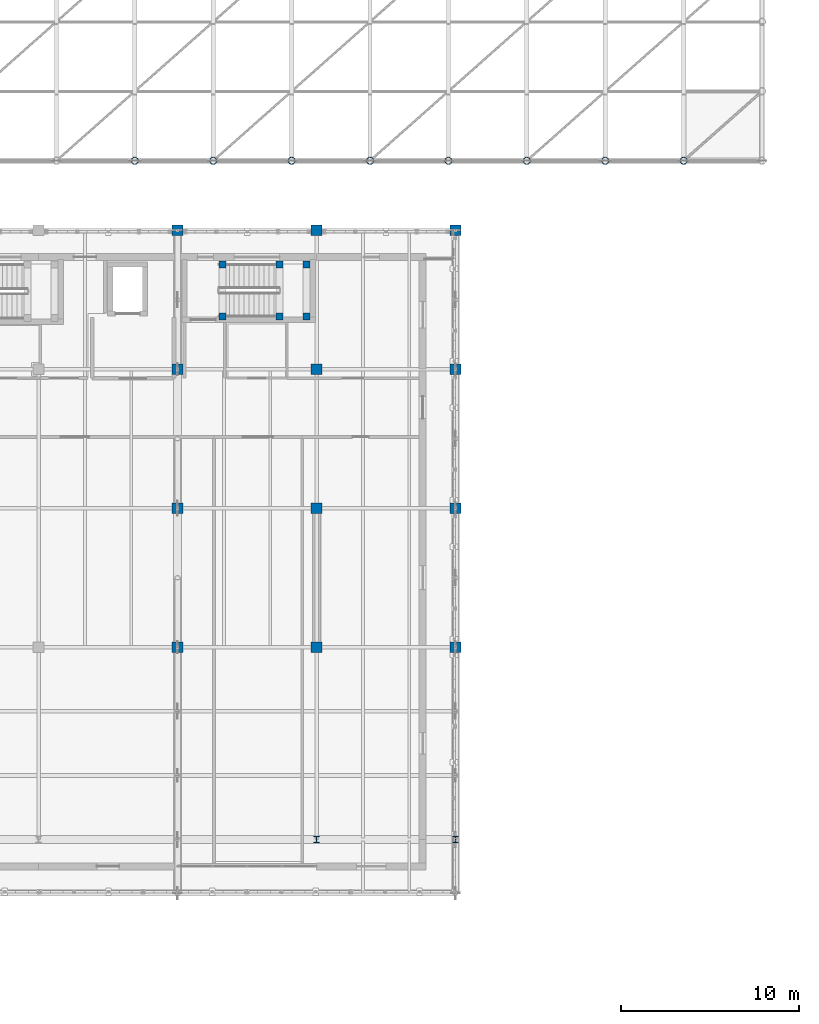
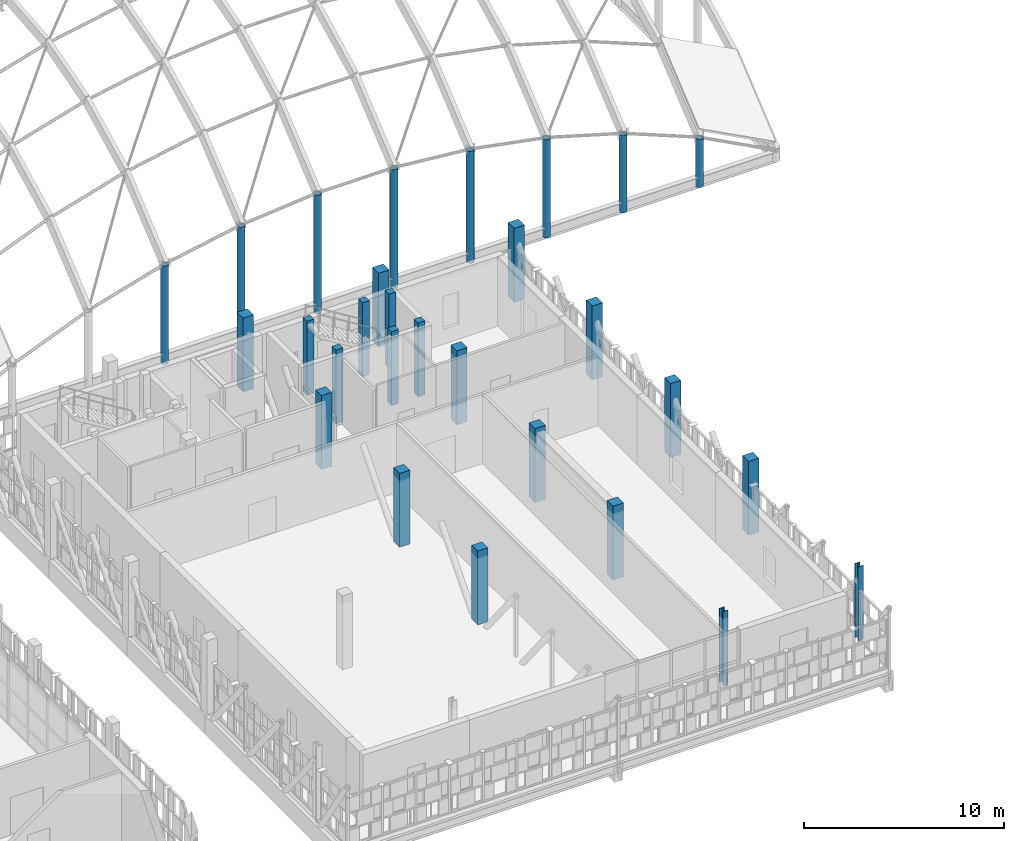
# One storey, part 5 of 119: 28 columns.
"""IFC4 building model written with IfcOpenShell, lengths in metres."""

from ifc_helpers import new_model, si_unit, direction, frame, origin, origin_2d, place, context, subcontext, project, spatial, rectangle, hollow_circle, i_section, extrude, material, material_profile, profile_set, type_object, element, save


model = new_model("IFC4")

# Units and contexts
model_context = context("Model", 3, precision=1e-05, world=origin(), true_north=direction((0.0, 1.0)))
body_context = subcontext(model_context, "Body", "Model", "MODEL_VIEW")
ifc_project = project(units=[si_unit("LENGTHUNIT", "METRE"), si_unit("AREAUNIT", "SQUARE_METRE"), si_unit("VOLUMEUNIT", "CUBIC_METRE"), si_unit("PLANEANGLEUNIT", "RADIAN"), si_unit("MASSUNIT", "GRAM", prefix="KILO")], contexts=[model_context])

# Site, building, storey
site_placement = place(None, origin())
site = spatial("IfcSite", under=ifc_project, at=site_placement, CompositionType="ELEMENT")
building_placement = place(site_placement, origin())
building = spatial("IfcBuilding", under=site, at=building_placement, Name="Celorna Specialist Clinic", CompositionType="ELEMENT")
storey_placement = place(building_placement, frame((0.0, 0.0, 9.60009765625)))
storey = spatial("IfcBuildingStorey", under=building, at=storey_placement, Name="L02", CompositionType="ELEMENT", Elevation=9.60009765625)

# Columns
ifc_material_1 = material(Name="Concrete C40/50", Category="concrete")
ifc_material_profile_1 = material_profile(ifc_material_1, rectangle(XDim=0.60009765625, YDim=0.60009765625, at=origin_2d()), Name="RC 600x600")
ifc_profile_set_1 = profile_set([ifc_material_profile_1], Name="Concrete C40/50")
column_type_1 = type_object("IfcColumnType", Name="CT-04", PredefinedType="COLUMN", material=ifc_profile_set_1)
for number, where, z_axis, x_axis, name in (
    (1, (70.199951171875, 19.5, 0.0), (0.0, 0.0, 1.0), (1.0, 0.0, 0.0), "Column CT-04 L02 X10/YE"),
    (2, (70.199951171875, 27.300048828125, 0.0), (0.0, 0.0, 1.0), (1.0, 0.0, 0.0), "Column CT-04 L02 X10/YF"),
    (3, (70.199951171875, 35.10009765625, 0.0), (0.0, 0.0, 1.0), (1.0, 0.0, 0.0), "Column CT-04 L02 X10/YG"),
    (4, (70.199951171875, 42.89990234375, 0.0), (0.0, 0.0, 1.0), (1.0, 0.0, 0.0), "Column CT-04 L02 X10/YH"),
    (5, (78.0, 19.5, 0.0), (0.0, 0.0, 1.0), (1.0, 0.0, 0.0), "Column CT-04 L02 X11/YE"),
    (6, (78.0, 27.300048828125, 0.0), (0.0, 0.0, 1.0), (1.0, 0.0, 0.0), "Column CT-04 L02 X11/YF"),
    (7, (78.0, 35.10009765625, 0.0), (0.0, 0.0, 1.0), (1.0, 0.0, 0.0), "Column CT-04 L02 X11/YG"),
    (8, (78.0, 42.89990234375, 0.0), (0.0, 0.0, 1.0), (1.0, 0.0, 0.0), "Column CT-04 L02 X11/YH"),
    (9, (85.800048828125, 19.5, 0.0), (0.0, 0.0, 1.0), (1.0, 0.0, 0.0), "Column CT-04 L02 X12/YE"),
    (10, (85.800048828125, 27.300048828125, 0.0), (0.0, 0.0, 1.0), (1.0, 0.0, 0.0), "Column CT-04 L02 X12/YF"),
    (11, (85.800048828125, 35.10009765625, 0.0), (0.0, 0.0, 1.0), (1.0, 0.0, 0.0), "Column CT-04 L02 X12/YG"),
    (12, (85.800048828125, 42.89990234375, 0.0), (0.0, 0.0, 1.0), (1.0, 0.0, 0.0), "Column CT-04 L02 X12/YH"),
):
    element("IfcColumn", number, at=place(storey_placement, frame(where, z_axis=z_axis, x_axis=x_axis)), inside=storey, type_object=column_type_1, Name=name, PredefinedType="COLUMN", context=body_context, shape_type="SweptSolid", body=[
        extrude(rectangle(XDim=0.60009765625, YDim=0.60009765625, at=origin_2d()), origin(), (0.0, 0.0, 1.0), 4.5),
    ])
ifc_material_2 = material(Name="Concrete C35/45", Category="concrete")
ifc_material_profile_2 = material_profile(ifc_material_2, rectangle(XDim=0.39990234375, YDim=0.39990234375, at=origin_2d()), Name="RC 400x400")
ifc_profile_set_2 = profile_set([ifc_material_profile_2], Name="Concrete C35/45")
column_type_2 = type_object("IfcColumnType", Name="CT-08", PredefinedType="COLUMN", material=ifc_profile_set_2)
for number, where, z_axis, x_axis, name in (
    (13, (72.719970703125, 38.070068359375, 0.0), (0.0, 0.0, 1.0), (1.0, 0.0, 0.0), "Stair ST-09 landing column CT-08 L02 X10/YG"),
    (14, (72.719970703125, 40.969970703125, 0.0), (0.0, 0.0, 1.0), (1.0, 0.0, 0.0), "Stair ST-09 landing column CT-08 L02 X10/YH"),
    (15, (75.919921875, 38.070068359375, 0.0), (0.0, 0.0, 1.0), (1.0, 0.0, 0.0), "Stair ST-09 landing column CT-08 L02 X11/YG"),
    (16, (75.919921875, 40.969970703125, 0.0), (0.0, 0.0, 1.0), (1.0, 0.0, 0.0), "Stair ST-09 landing column CT-08 L02 X11/YH"),
    (17, (77.43994140625, 38.070068359375, 0.0), (0.0, 0.0, 1.0), (1.0, 0.0, 0.0), "Stair ST-09 landing column CT-08 L02 X11/YG"),
    (18, (77.43994140625, 40.969970703125, 0.0), (0.0, 0.0, 1.0), (1.0, 0.0, 0.0), "Stair ST-09 landing column CT-08 L02 X11/YH"),
):
    element("IfcColumn", number, at=place(storey_placement, frame(where, z_axis=z_axis, x_axis=x_axis)), inside=storey, type_object=column_type_2, Name=name, PredefinedType="COLUMN", context=body_context, shape_type="SweptSolid", body=[
        extrude(rectangle(XDim=0.39990234375, YDim=0.39990234375, at=origin_2d()), origin(), (0.0, 0.0, 1.0), 4.5),
    ])
ifc_material_3 = material(Name="Steel S355", Category="steel")
ifc_material_profile_3 = material_profile(ifc_material_3, hollow_circle(Radius=0.203125, WallThickness=0.01611328125, at=origin_2d()), Name="CHS 406.4x16")
ifc_profile_set_3 = profile_set([ifc_material_profile_3], Name="Steel S355")
column_type_3 = type_object("IfcColumnType", Name="CT-12", PredefinedType="COLUMN", material=ifc_profile_set_3)
column_1_placement = place(storey_placement, frame((67.800048828125, 46.800048828125, 0.0), z_axis=(0.0, 0.0, 1.0), x_axis=(1.0, 0.0, 0.0)))
element("IfcColumn", 19, at=column_1_placement, inside=storey, type_object=column_type_3, Name="Column CT-12 L02 X10/YJ", PredefinedType="COLUMN", context=body_context, shape_type="SweptSolid", body=[
    extrude(hollow_circle(Radius=0.203125, WallThickness=0.01611328125, at=origin_2d()), origin(), (0.0, 0.0, 1.0), 5.991943359375),
])
column_2_placement = place(storey_placement, frame((72.199951171875, 46.800048828125, 0.0), z_axis=(0.0, 0.0, 1.0), x_axis=(1.0, 0.0, 0.0)))
element("IfcColumn", 20, at=column_2_placement, inside=storey, type_object=column_type_3, Name="Column CT-12 L02 X10/YJ", PredefinedType="COLUMN", context=body_context, shape_type="SweptSolid", body=[
    extrude(hollow_circle(Radius=0.203125, WallThickness=0.01611328125, at=origin_2d()), origin(), (0.0, 0.0, 1.0), 6.830078125),
])
for number, where, z_axis, x_axis, name in (
    (21, (76.60009765625, 46.800048828125, 0.0), (0.0, 0.0, 1.0), (1.0, 0.0, 0.0), "Column CT-12 L02 X11/YJ"),
    (22, (81.0, 46.800048828125, 0.0), (0.0, 0.0, 1.0), (1.0, 0.0, 0.0), "Column CT-12 L02 X11/YJ"),
):
    element("IfcColumn", number, at=place(storey_placement, frame(where, z_axis=z_axis, x_axis=x_axis)), inside=storey, type_object=column_type_3, Name=name, PredefinedType="COLUMN", context=body_context, shape_type="SweptSolid", body=[
        extrude(hollow_circle(Radius=0.203125, WallThickness=0.01611328125, at=origin_2d()), origin(), (0.0, 0.0, 1.0), 7.243408203125),
    ])
column_3_placement = place(storey_placement, frame((85.39990234375, 46.800048828125, 0.0), z_axis=(0.0, 0.0, 1.0), x_axis=(1.0, 0.0, 0.0)))
element("IfcColumn", 23, at=column_3_placement, inside=storey, type_object=column_type_3, Name="Column CT-12 L02 X12/YJ", PredefinedType="COLUMN", context=body_context, shape_type="SweptSolid", body=[
    extrude(hollow_circle(Radius=0.203125, WallThickness=0.01611328125, at=origin_2d()), origin(), (0.0, 0.0, 1.0), 6.830078125),
])
column_4_placement = place(storey_placement, frame((89.800048828125, 46.800048828125, 0.0), z_axis=(0.0, 0.0, 1.0), x_axis=(1.0, 0.0, 0.0)))
element("IfcColumn", 24, at=column_4_placement, inside=storey, type_object=column_type_3, Name="Column CT-12 L02 X13/YJ", PredefinedType="COLUMN", context=body_context, shape_type="SweptSolid", body=[
    extrude(hollow_circle(Radius=0.203125, WallThickness=0.01611328125, at=origin_2d()), origin(), (0.0, 0.0, 1.0), 5.991943359375),
])
column_5_placement = place(storey_placement, frame((94.199951171875, 46.800048828125, 0.0), z_axis=(0.0, 0.0, 1.0), x_axis=(1.0, 0.0, 0.0)))
element("IfcColumn", 25, at=column_5_placement, inside=storey, type_object=column_type_3, Name="Column CT-12 L02 X13/YJ", PredefinedType="COLUMN", context=body_context, shape_type="SweptSolid", body=[
    extrude(hollow_circle(Radius=0.203125, WallThickness=0.01611328125, at=origin_2d()), origin(), (0.0, 0.0, 1.0), 4.705322265625),
])
column_6_placement = place(storey_placement, frame((98.60009765625, 46.800048828125, 0.0), z_axis=(0.0, 0.0, 1.0), x_axis=(1.0, 0.0, 0.0)))
element("IfcColumn", 26, at=column_6_placement, inside=storey, type_object=column_type_3, Name="Column CT-12 L02 X14/YJ", PredefinedType="COLUMN", context=body_context, shape_type="SweptSolid", body=[
    extrude(hollow_circle(Radius=0.203125, WallThickness=0.01611328125, at=origin_2d()), origin(), (0.0, 0.0, 1.0), 2.929443359375),
])
ifc_material_profile_4 = material_profile(ifc_material_3, i_section(OverallWidth=0.300048828125, OverallDepth=0.360107421875, WebThickness=0.012451171875, FlangeThickness=0.0224609375, at=origin_2d()), Name="HE 360 B")
ifc_profile_set_4 = profile_set([ifc_material_profile_4], Name="Steel S355")
column_type_4 = type_object("IfcColumnType", Name="CT-13", PredefinedType="COLUMN", material=ifc_profile_set_4)
for number, where, z_axis, x_axis, name in (
    (27, (78.0, 8.699951171875, 0.0), (0.0, 0.0, 1.0), (1.0, 0.0, 0.0), "Column CT-13 L02 X11/YC"),
    (28, (85.800048828125, 8.699951171875, 0.0), (0.0, 0.0, 1.0), (1.0, 0.0, 0.0), "Column CT-13 L02 X12/YC"),
):
    element("IfcColumn", number, at=place(storey_placement, frame(where, z_axis=z_axis, x_axis=x_axis)), inside=storey, type_object=column_type_4, Name=name, PredefinedType="COLUMN", context=body_context, shape_type="SweptSolid", body=[
        extrude(i_section(OverallWidth=0.300048828125, OverallDepth=0.360107421875, WebThickness=0.012451171875, FlangeThickness=0.0224609375, at=origin_2d()), origin(), (0.0, 0.0, 1.0), 4.5),
    ])

save(model, "model.ifc")
